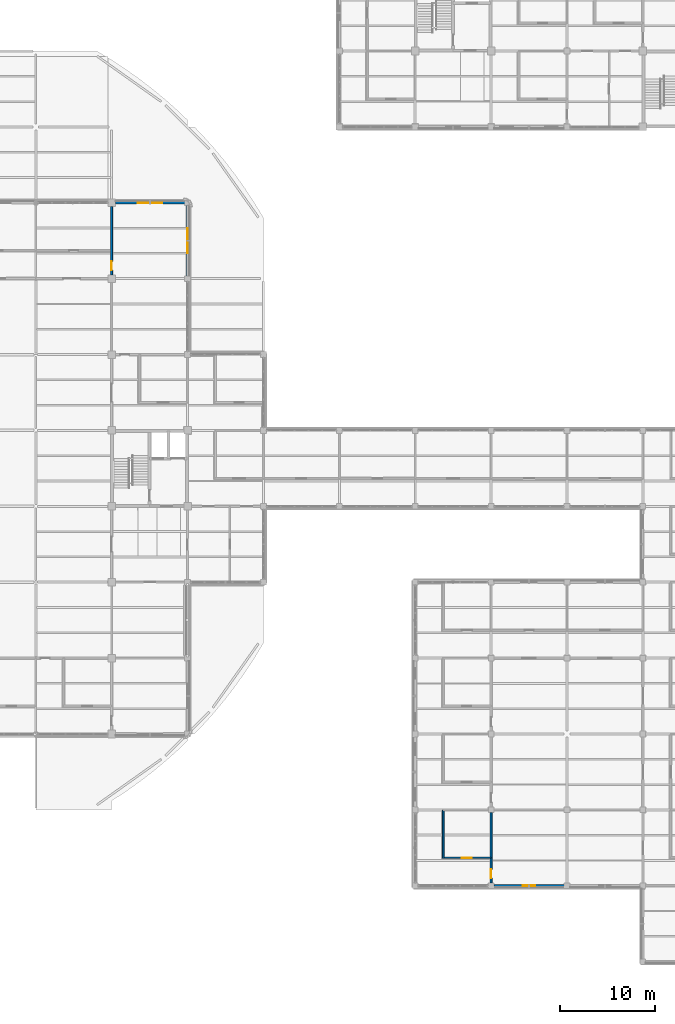
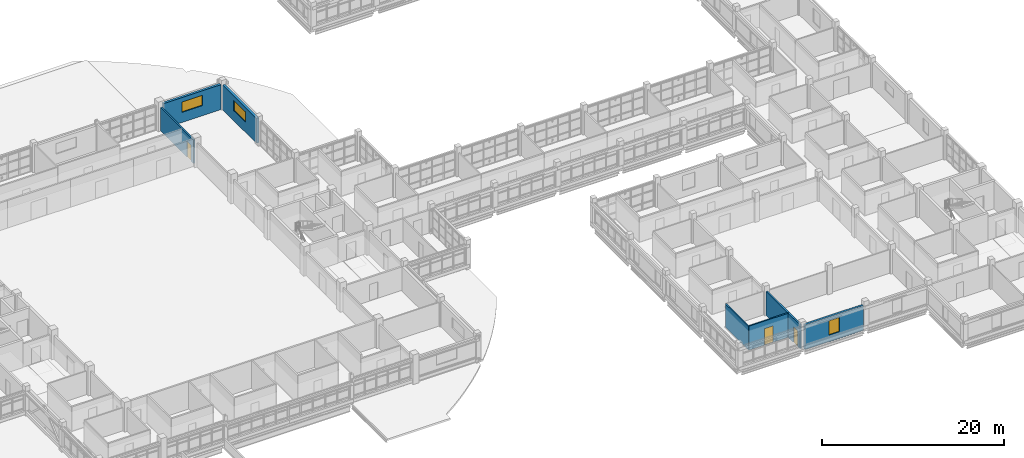
# One storey, part 98 of 126: 7 walls, 3 doors, 3 windows, 6 openings.
"""IFC4 building model written with IfcOpenShell, lengths in metres."""

from ifc_helpers import new_model, si_unit, derived_unit, direction, frame, frame_2d, origin, place, context, subcontext, project, spatial, rectangle, extrude, material, layer, layer_set, type_object, element, fill, save


model = new_model("IFC4")

# Units and contexts
model_context = context("Model", 3, precision=1e-05, world=origin(), true_north=direction((0.0, 1.0)))
body_context = subcontext(model_context, "Body", "Model", "MODEL_VIEW")
ifc_project = project(units=[si_unit("LENGTHUNIT", "METRE"), si_unit("AREAUNIT", "SQUARE_METRE"), si_unit("VOLUMEUNIT", "CUBIC_METRE"), si_unit("PLANEANGLEUNIT", "RADIAN"), si_unit("MASSUNIT", "GRAM", prefix="KILO"), derived_unit("THERMALTRANSMITTANCEUNIT", [(si_unit("MASSUNIT", "GRAM", prefix="KILO"), 1), (si_unit("TIMEUNIT", "SECOND"), -3), (si_unit("THERMODYNAMICTEMPERATUREUNIT", "KELVIN"), -1)])], contexts=[model_context])

# Site, building, storey
site_placement = place(None, origin())
site = spatial("IfcSite", under=ifc_project, at=site_placement, CompositionType="ELEMENT")
building_placement = place(site_placement, origin())
building = spatial("IfcBuilding", under=site, at=building_placement, Name="Veyamyaing Civic Hall", CompositionType="ELEMENT")
storey_placement = place(building_placement, frame((0.0, 0.0, 9.89990234375)))
storey = spatial("IfcBuildingStorey", under=building, at=storey_placement, Name="L02", CompositionType="ELEMENT", Elevation=9.89990234375)

# Wall, opening, window
ifc_material_1 = material(Name="Precast concrete C40/50", Category="concrete")
ifc_layer_1 = layer(ifc_material_1, 0.304931640625, Name="Precast concrete C40/50")
ifc_layer_set_1 = layer_set([ifc_layer_1], Name="Precast concrete C40/50")
wall_type_1 = type_object("IfcWallType", Name="WT-03", PredefinedType="SOLIDWALL", material=ifc_layer_set_1)
wall_1_placement = place(storey_placement, frame((104.385009765625, 80.0, 0.0), z_axis=(0.0, 0.0, 1.0), x_axis=(1.0, 0.0, 0.0)))
wall_1 = element("IfcWall", 1, at=wall_1_placement, inside=storey, type_object=wall_type_1, Name="Exterior facade wall WT-03 L02 N 14.10", PredefinedType="SOLIDWALL", context=body_context, shape_type="SweptSolid", body=[
    extrude(rectangle(XDim=7.330078125, YDim=0.304931640625, at=frame_2d((3.6650390625, 0.0))), origin(), (0.0, 0.0, 1.0), 3.343994140625),
])
opening_1_placement = place(wall_1_placement, frame((2.364990234375, 0.0, 1.35009765625)))
opening_1 = element("IfcOpeningElement", 2, at=opening_1_placement, cuts=wall_1, Name="Opening W-17", PredefinedType="OPENING", context=body_context, shape_type="SweptSolid", body=[
    extrude(rectangle(XDim=2.60009765625, YDim=1.39990234375, at=frame_2d((1.300048828125, 0.699951171875))), frame((0.0, 0.162353515625, 0.0), z_axis=(0.0, -1.0, 0.0), x_axis=(1.0, 0.0, 0.0)), (0.0, 0.0, 1.0), 0.324951171875),
])
ifc_material_2 = material(Name="Low-E insulated glass", Category="glass")
window_type_1 = type_object("IfcWindowType", Name="W-17", PartitioningType="SINGLE_PANEL", PredefinedType="WINDOW", material=ifc_material_2)
window_1_placement = place(opening_1_placement, origin())
window_1 = element("IfcWindow", 3, at=window_1_placement, inside=storey, type_object=window_type_1, Name="Facade window W-17 L02 N 14.10", OverallHeight=1.39990234375, OverallWidth=2.60009765625, PartitioningType="SINGLE_PANEL", PredefinedType="WINDOW", context=body_context, shape_type="SweptSolid", body=[
    extrude(rectangle(XDim=2.60009765625, YDim=1.39990234375, at=frame_2d((1.300048828125, 0.699951171875))), frame((0.0, 0.030029296875, 0.0), z_axis=(0.0, -1.0, 0.0), x_axis=(1.0, 0.0, 0.0)), (0.0, 0.0, 1.0), 0.06005859375),
])
fill(opening_1, window_1)

wall_2_placement = place(storey_placement, frame((112.0, 72.284912109375, 0.0), z_axis=(0.0, 0.0, 1.0), x_axis=(0.0, 1.0, 0.0)))
wall_2 = element("IfcWall", 4, at=wall_2_placement, inside=storey, type_object=wall_type_1, Name="Exterior facade wall WT-03 L02 E 14.10", PredefinedType="SOLIDWALL", context=body_context, shape_type="SweptSolid", body=[
    extrude(rectangle(XDim=7.43017578125, YDim=0.304931640625, at=frame_2d((3.715087890625, 0.0))), origin(), (0.0, 0.0, 1.0), 3.343994140625),
])
opening_2_placement = place(wall_2_placement, frame((2.4150390625, 0.0, 1.35009765625)))
opening_2 = element("IfcOpeningElement", 5, at=opening_2_placement, cuts=wall_2, Name="Opening W-17", PredefinedType="OPENING", context=body_context, shape_type="SweptSolid", body=[
    extrude(rectangle(XDim=2.60009765625, YDim=1.39990234375, at=frame_2d((1.300048828125, 0.699951171875))), frame((0.0, 0.162353515625, 0.0), z_axis=(0.0, -1.0, 0.0), x_axis=(1.0, 0.0, 0.0)), (0.0, 0.0, 1.0), 0.324951171875),
])
window_2_placement = place(opening_2_placement, origin())
window_2 = element("IfcWindow", 6, at=window_2_placement, inside=storey, type_object=window_type_1, Name="Facade window W-17 L02 E 14.10", OverallHeight=1.39990234375, OverallWidth=2.60009765625, PartitioningType="SINGLE_PANEL", PredefinedType="WINDOW", context=body_context, shape_type="SweptSolid", body=[
    extrude(rectangle(XDim=2.60009765625, YDim=1.39990234375, at=frame_2d((1.300048828125, 0.699951171875))), frame((0.0, 0.030029296875, 0.0), z_axis=(0.0, -1.0, 0.0), x_axis=(1.0, 0.0, 0.0)), (0.0, 0.0, 1.0), 0.06005859375),
])
fill(opening_2, window_2)

# Wall, opening, door
ifc_material_3 = material(Name="Concrete C40/50", Category="concrete")
ifc_layer_2 = layer(ifc_material_3, 0.199951171875, Name="Concrete C40/50")
ifc_layer_set_2 = layer_set([ifc_layer_2], Name="Concrete C40/50")
wall_type_2 = type_object("IfcWallType", Name="WT-06", PredefinedType="PARTITIONING", material=ifc_layer_set_2)
wall_3_placement = place(storey_placement, frame((104.0, 72.389892578125, 0.0), z_axis=(0.0, 0.0, 1.0), x_axis=(0.0, 1.0, 0.0)))
wall_3 = element("IfcWall", 7, at=wall_3_placement, inside=storey, type_object=wall_type_2, Name="Interior partition wall WT-06 L02.39", PredefinedType="PARTITIONING", context=body_context, shape_type="SweptSolid", body=[
    extrude(rectangle(XDim=7.22021484375, YDim=0.199951171875, at=frame_2d((3.610107421875, 0.0))), origin(), (0.0, 0.0, 1.0), 3.151123046875),
])
opening_3_placement = place(wall_3_placement, frame((0.52001953125, 0.0, 0.0)))
opening_3 = element("IfcOpeningElement", 8, at=opening_3_placement, cuts=wall_3, Name="Opening D-30", PredefinedType="OPENING", context=body_context, shape_type="SweptSolid", body=[
    extrude(rectangle(XDim=0.93994140625, YDim=2.1201171875, at=frame_2d((0.469970703125, 1.06005859375))), frame((0.0, 0.10986328125, 0.0), z_axis=(0.0, -1.0, 0.0), x_axis=(1.0, 0.0, 0.0)), (0.0, 0.0, 1.0), 0.219970703125),
])
ifc_material_4 = material(Name="Teak-veneered acoustic timber", Category="wood")
door_type_1 = type_object("IfcDoorType", Name="D-30", OperationType="NOTDEFINED", PredefinedType="DOOR", material=ifc_material_4)
door_1_placement = place(opening_3_placement, frame((0.93994140625, 0.0, 0.0), z_axis=(0.0, 0.0, 1.0), x_axis=(-1.0, 0.0, 0.0)))
door_1 = element("IfcDoor", 9, at=door_1_placement, inside=storey, type_object=door_type_1, Name="Interior door D-30 L02.39", OperationType="SINGLE_SWING_LEFT", OverallHeight=2.1201171875, OverallWidth=0.93994140625, PredefinedType="DOOR", context=body_context, shape_type="SweptSolid", body=[
    extrude(rectangle(XDim=0.93994140625, YDim=2.1201171875, at=frame_2d((0.469970703125, 1.06005859375))), frame((0.0, 0.02490234375, 0.0), z_axis=(0.0, -1.0, 0.0), x_axis=(1.0, 0.0, 0.0)), (0.0, 0.0, 1.0), 0.050048828125),
])
fill(opening_3, door_1)

wall_4_placement = place(storey_placement, frame((144.0, 8.2900390625, 0.0), z_axis=(0.0, 0.0, 1.0), x_axis=(0.0, 1.0, 0.0)))
wall_4 = element("IfcWall", 10, at=wall_4_placement, inside=storey, type_object=wall_type_2, Name="Interior partition wall WT-06 L02.46", PredefinedType="PARTITIONING", context=body_context, shape_type="SweptSolid", body=[
    extrude(rectangle(XDim=7.419921875, YDim=0.199951171875, at=frame_2d((3.7099609375, 0.0))), origin(), (0.0, 0.0, 1.0), 3.22119140625),
])
opening_4_placement = place(wall_4_placement, frame((0.52001953125, 0.0, 0.0)))
opening_4 = element("IfcOpeningElement", 11, at=opening_4_placement, cuts=wall_4, Name="Opening D-30", PredefinedType="OPENING", context=body_context, shape_type="SweptSolid", body=[
    extrude(rectangle(XDim=0.93994140625, YDim=2.1201171875, at=frame_2d((0.469970703125, 1.06005859375))), frame((0.0, 0.10986328125, 0.0), z_axis=(0.0, -1.0, 0.0), x_axis=(1.0, 0.0, 0.0)), (0.0, 0.0, 1.0), 0.219970703125),
])
door_2_placement = place(opening_4_placement, frame((0.93994140625, 0.0, 0.0), z_axis=(0.0, 0.0, 1.0), x_axis=(-1.0, 0.0, 0.0)))
door_2 = element("IfcDoor", 12, at=door_2_placement, inside=storey, type_object=door_type_1, Name="Interior door D-30 L02.46", OperationType="SINGLE_SWING_RIGHT", OverallHeight=2.1201171875, OverallWidth=0.93994140625, PredefinedType="DOOR", context=body_context, shape_type="SweptSolid", body=[
    extrude(rectangle(XDim=0.93994140625, YDim=2.1201171875, at=frame_2d((0.469970703125, 1.06005859375))), frame((0.0, 0.02490234375, 0.0), z_axis=(0.0, -1.0, 0.0), x_axis=(1.0, 0.0, 0.0)), (0.0, 0.0, 1.0), 0.050048828125),
])
fill(opening_4, door_2)

ifc_material_5 = material(Name="Gypsum board on acoustic steel stud", Category="steel")
ifc_layer_3 = layer(ifc_material_5, 0.175048828125, Name="Gypsum board on acoustic steel stud")
ifc_layer_set_3 = layer_set([ifc_layer_3], Name="Gypsum board on acoustic steel stud")
wall_type_3 = type_object("IfcWallType", Name="WT-07", PredefinedType="PARTITIONING", material=ifc_layer_set_3)
wall_5_placement = place(storey_placement, frame((138.89990234375, 10.949951171875, 0.0), z_axis=(0.0, 0.0, 1.0), x_axis=(1.0, 0.0, 0.0)))
wall_5 = element("IfcWall", 13, at=wall_5_placement, inside=storey, type_object=wall_type_3, Name="Corridor gallery partition WT-07 L02.51.1", PredefinedType="PARTITIONING", context=body_context, shape_type="SweptSolid", body=[
    extrude(rectangle(XDim=5.080078125, YDim=0.175048828125, at=frame_2d((2.5400390625, 0.0))), origin(), (0.0, 0.0, 1.0), 3.22119140625),
])
opening_5_placement = place(wall_5_placement, frame((2.0, 0.0, 0.0)))
opening_5 = element("IfcOpeningElement", 14, at=opening_5_placement, cuts=wall_5, Name="Opening D-23", PredefinedType="OPENING", context=body_context, shape_type="SweptSolid", body=[
    extrude(rectangle(XDim=1.080078125, YDim=2.199951171875, at=frame_2d((0.5400390625, 1.10009765625))), frame((0.0, 0.097412109375, 0.0), z_axis=(0.0, -1.0, 0.0), x_axis=(1.0, 0.0, 0.0)), (0.0, 0.0, 1.0), 0.195068359375),
])
door_type_2 = type_object("IfcDoorType", Name="D-23", OperationType="NOTDEFINED", PredefinedType="DOOR", material=ifc_material_4)
door_3_placement = place(opening_5_placement, origin())
door_3 = element("IfcDoor", 15, at=door_3_placement, inside=storey, type_object=door_type_2, Name="Gallery office door D-23 L02.51", OperationType="SINGLE_SWING_LEFT", OverallHeight=2.199951171875, OverallWidth=1.080078125, PredefinedType="DOOR", context=body_context, shape_type="SweptSolid", body=[
    extrude(rectangle(XDim=1.080078125, YDim=2.199951171875, at=frame_2d((0.5400390625, 1.10009765625))), frame((0.0, 0.02490234375, 0.0), z_axis=(0.0, -1.0, 0.0), x_axis=(1.0, 0.0, 0.0)), (0.0, 0.0, 1.0), 0.050048828125),
])
fill(opening_5, door_3)

# Wall
wall_6_placement = place(storey_placement, frame((138.949951171875, 10.89990234375, 0.0), z_axis=(0.0, 0.0, 1.0), x_axis=(0.0, 1.0, 0.0)))
element("IfcWall", 16, at=wall_6_placement, inside=storey, type_object=wall_type_3, Name="Corridor gallery partition WT-07 L02.51.2", PredefinedType="PARTITIONING", context=body_context, shape_type="SweptSolid", body=[
    extrude(rectangle(XDim=5.080078125, YDim=0.175048828125, at=frame_2d((2.5400390625, 0.0))), origin(), (0.0, 0.0, 1.0), 3.151123046875),
])

# Wall, opening, window
ifc_layer_4 = layer(ifc_material_1, 0.27001953125, Name="Precast concrete C40/50")
ifc_layer_set_4 = layer_set([ifc_layer_4], Name="Precast concrete C40/50")
wall_type_4 = type_object("IfcWallType", Name="WT-18", PredefinedType="SOLIDWALL", material=ifc_layer_set_4)
wall_7_placement = place(storey_placement, frame((144.284912109375, 8.0, 0.0), z_axis=(0.0, 0.0, 1.0), x_axis=(1.0, 0.0, 0.0)))
wall_7 = element("IfcWall", 17, at=wall_7_placement, inside=storey, type_object=wall_type_4, Name="Exterior facade wall WT-18 L02 S 19.2", PredefinedType="SOLIDWALL", context=body_context, shape_type="SweptSolid", body=[
    extrude(rectangle(XDim=7.43017578125, YDim=0.27001953125, at=frame_2d((3.715087890625, 0.0))), origin(), (0.0, 0.0, 1.0), 3.343994140625),
])
opening_6_placement = place(wall_7_placement, frame((3.0400390625, 0.0, 0.89990234375)))
opening_6 = element("IfcOpeningElement", 18, at=opening_6_placement, cuts=wall_7, Name="Opening W-13", PredefinedType="OPENING", context=body_context, shape_type="SweptSolid", body=[
    extrude(rectangle(XDim=1.35009765625, YDim=1.89990234375, at=frame_2d((0.675048828125, 0.949951171875))), frame((0.0, 0.14501953125, 0.0), z_axis=(0.0, -1.0, 0.0), x_axis=(1.0, 0.0, 0.0)), (0.0, 0.0, 1.0), 0.2900390625),
])
window_type_2 = type_object("IfcWindowType", Name="W-13", PartitioningType="SINGLE_PANEL", PredefinedType="WINDOW", material=ifc_material_2)
window_3_placement = place(opening_6_placement, origin())
window_3 = element("IfcWindow", 19, at=window_3_placement, inside=storey, type_object=window_type_2, Name="Facade window W-13 L02 S 19.2", OverallHeight=1.89990234375, OverallWidth=1.35009765625, PartitioningType="SINGLE_PANEL", PredefinedType="WINDOW", context=body_context, shape_type="SweptSolid", body=[
    extrude(rectangle(XDim=1.35009765625, YDim=1.89990234375, at=frame_2d((0.675048828125, 0.949951171875))), frame((0.0, 0.030029296875, 0.0), z_axis=(0.0, -1.0, 0.0), x_axis=(1.0, 0.0, 0.0)), (0.0, 0.0, 1.0), 0.06005859375),
])
fill(opening_6, window_3)

save(model, "model.ifc")
